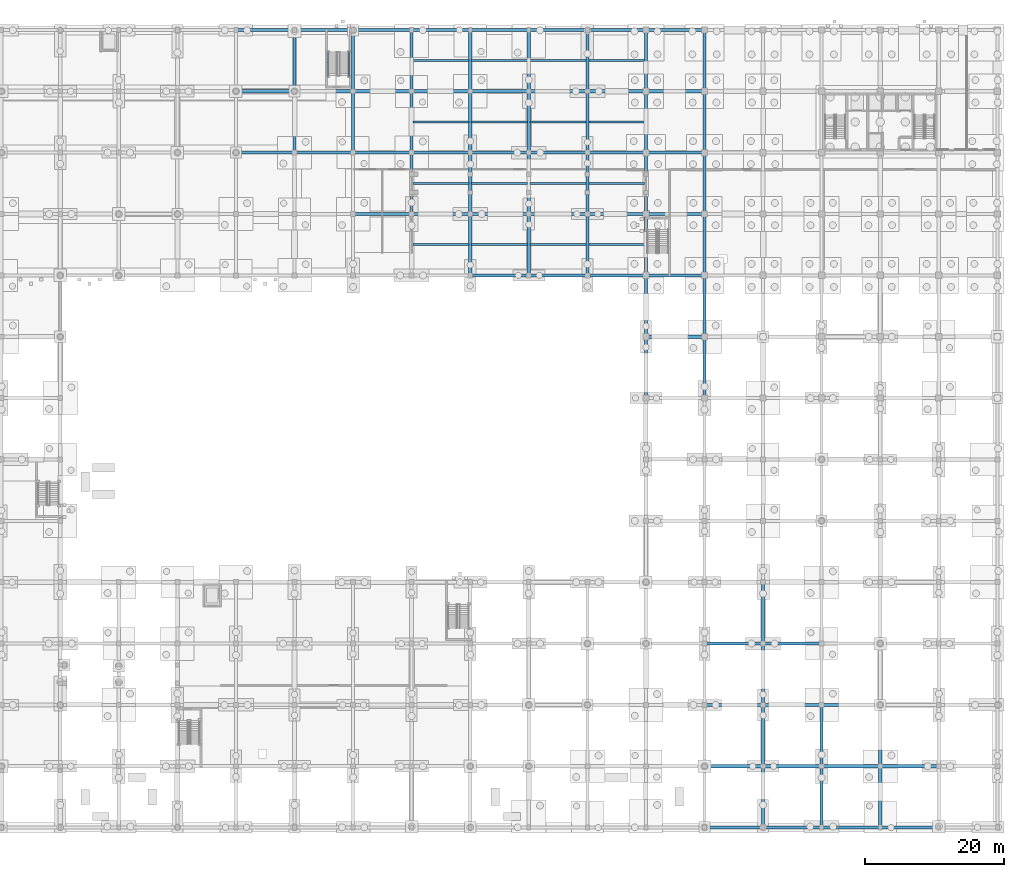
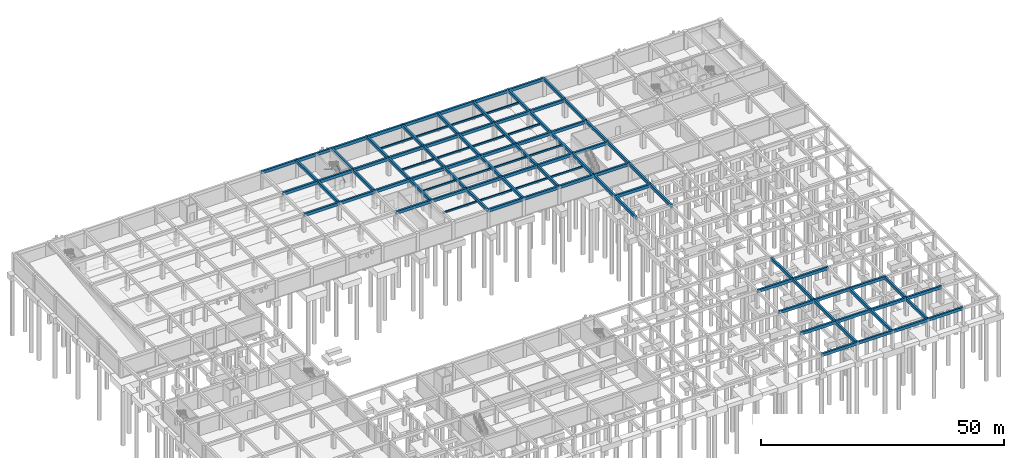
# One storey, part 17 of 41: 103 beams, 2 members.
"""IFC4 building model written with IfcOpenShell, lengths in metres."""

from ifc_helpers import new_model, si_unit, direction, frame, origin, origin_2d, place, context, subcontext, project, spatial, rectangle, hollow_rectangle, extrude, material, material_profile, profile_set, type_object, element, save


model = new_model("IFC4")

# Units and contexts
model_context = context("Model", 3, precision=1e-05, world=origin(), true_north=direction((0.0, 1.0)))
body_context = subcontext(model_context, "Body", "Model", "MODEL_VIEW")
ifc_project = project(units=[si_unit("LENGTHUNIT", "METRE"), si_unit("AREAUNIT", "SQUARE_METRE"), si_unit("VOLUMEUNIT", "CUBIC_METRE"), si_unit("PLANEANGLEUNIT", "RADIAN"), si_unit("MASSUNIT", "GRAM", prefix="KILO")], contexts=[model_context])

# Site, building, storey
site_placement = place(None, origin())
site = spatial("IfcSite", under=ifc_project, at=site_placement, CompositionType="ELEMENT")
building_placement = place(site_placement, origin())
building = spatial("IfcBuilding", under=site, at=building_placement, Name="Kemercrest Conservatory and Botanical Centre", CompositionType="ELEMENT")
storey_placement = place(building_placement, frame((0.0, 0.0, -4.5)))
storey = spatial("IfcBuildingStorey", under=building, at=storey_placement, Name="B1", CompositionType="ELEMENT", Elevation=-4.5)

# Beams
ifc_material_1 = material(Name="Concrete C40/50", Category="concrete")
ifc_material_profile_1 = material_profile(ifc_material_1, rectangle(XDim=0.449951171875, YDim=0.75, at=origin_2d()), Name="RC 450x750")
ifc_profile_set_1 = profile_set([ifc_material_profile_1], Name="Concrete C40/50")
beam_type_1 = type_object("IfcBeamType", Name="BM-RC75", PredefinedType="BEAM", material=ifc_profile_set_1)
beam_1_placement = place(storey_placement, frame((134.0, 8.0, 4.125), z_axis=(1.0, 0.0, 0.0), x_axis=(0.0, 1.0, 0.0)))
element("IfcBeam", 1, at=beam_1_placement, inside=storey, type_object=beam_type_1, Name="B1 girder 16-17 on A", PredefinedType="BEAM", context=body_context, shape_type="SweptSolid", body=[
    extrude(rectangle(XDim=0.449951171875, YDim=0.75, at=origin_2d()), origin(), (0.0, 0.0, 1.0), 8.39990234375),
])
beam_2_placement = place(storey_placement, frame((142.39990234375, 8.0, 4.125), z_axis=(1.0, 0.0, 0.0), x_axis=(0.0, 1.0, 0.0)))
element("IfcBeam", 2, at=beam_2_placement, inside=storey, type_object=beam_type_1, Name="B1 girder 17-18 on A", PredefinedType="BEAM", context=body_context, shape_type="SweptSolid", body=[
    extrude(rectangle(XDim=0.449951171875, YDim=0.75, at=origin_2d()), origin(), (0.0, 0.0, 1.0), 8.400146484375),
])
beam_3_placement = place(storey_placement, frame((150.800048828125, 8.0, 4.125), z_axis=(1.0, 0.0, 0.0), x_axis=(0.0, 1.0, 0.0)))
element("IfcBeam", 3, at=beam_3_placement, inside=storey, type_object=beam_type_1, Name="B1 girder 18-19 on A", PredefinedType="BEAM", context=body_context, shape_type="SweptSolid", body=[
    extrude(rectangle(XDim=0.449951171875, YDim=0.75, at=origin_2d()), origin(), (0.0, 0.0, 1.0), 8.39990234375),
])
beam_4_placement = place(storey_placement, frame((159.199951171875, 8.0, 4.125), z_axis=(1.0, 0.0, 0.0), x_axis=(0.0, 1.0, 0.0)))
element("IfcBeam", 4, at=beam_4_placement, inside=storey, type_object=beam_type_1, Name="B1 girder 19-20 on A", PredefinedType="BEAM", context=body_context, shape_type="SweptSolid", body=[
    extrude(rectangle(XDim=0.449951171875, YDim=0.75, at=origin_2d()), origin(), (0.0, 0.0, 1.0), 8.400146484375),
])
beam_5_placement = place(storey_placement, frame((134.0, 16.800048828125, 4.125), z_axis=(1.0, 0.0, 0.0), x_axis=(0.0, 1.0, 0.0)))
element("IfcBeam", 5, at=beam_5_placement, inside=storey, type_object=beam_type_1, Name="B1 girder 16-17 on B", PredefinedType="BEAM", context=body_context, shape_type="SweptSolid", body=[
    extrude(rectangle(XDim=0.449951171875, YDim=0.75, at=origin_2d()), origin(), (0.0, 0.0, 1.0), 8.39990234375),
])
beam_6_placement = place(storey_placement, frame((142.39990234375, 16.800048828125, 4.125), z_axis=(1.0, 0.0, 0.0), x_axis=(0.0, 1.0, 0.0)))
element("IfcBeam", 6, at=beam_6_placement, inside=storey, type_object=beam_type_1, Name="B1 girder 17-18 on B", PredefinedType="BEAM", context=body_context, shape_type="SweptSolid", body=[
    extrude(rectangle(XDim=0.449951171875, YDim=0.75, at=origin_2d()), origin(), (0.0, 0.0, 1.0), 8.400146484375),
])
beam_7_placement = place(storey_placement, frame((150.800048828125, 16.800048828125, 4.125), z_axis=(1.0, 0.0, 0.0), x_axis=(0.0, 1.0, 0.0)))
element("IfcBeam", 7, at=beam_7_placement, inside=storey, type_object=beam_type_1, Name="B1 girder 18-19 on B", PredefinedType="BEAM", context=body_context, shape_type="SweptSolid", body=[
    extrude(rectangle(XDim=0.449951171875, YDim=0.75, at=origin_2d()), origin(), (0.0, 0.0, 1.0), 8.39990234375),
])
beam_8_placement = place(storey_placement, frame((159.199951171875, 16.800048828125, 4.125), z_axis=(1.0, 0.0, 0.0), x_axis=(0.0, 1.0, 0.0)))
element("IfcBeam", 8, at=beam_8_placement, inside=storey, type_object=beam_type_1, Name="B1 girder 19-20 on B", PredefinedType="BEAM", context=body_context, shape_type="SweptSolid", body=[
    extrude(rectangle(XDim=0.449951171875, YDim=0.75, at=origin_2d()), origin(), (0.0, 0.0, 1.0), 8.400146484375),
])
beam_9_placement = place(storey_placement, frame((134.0, 25.60009765625, 4.125), z_axis=(1.0, 0.0, 0.0), x_axis=(0.0, 1.0, 0.0)))
element("IfcBeam", 9, at=beam_9_placement, inside=storey, type_object=beam_type_1, Name="B1 girder 16-17 on C", PredefinedType="BEAM", context=body_context, shape_type="SweptSolid", body=[
    extrude(rectangle(XDim=0.449951171875, YDim=0.75, at=origin_2d()), origin(), (0.0, 0.0, 1.0), 8.39990234375),
])
beam_10_placement = place(storey_placement, frame((142.39990234375, 25.60009765625, 4.125), z_axis=(1.0, 0.0, 0.0), x_axis=(0.0, 1.0, 0.0)))
element("IfcBeam", 10, at=beam_10_placement, inside=storey, type_object=beam_type_1, Name="B1 girder 17-18 on C", PredefinedType="BEAM", context=body_context, shape_type="SweptSolid", body=[
    extrude(rectangle(XDim=0.449951171875, YDim=0.75, at=origin_2d()), origin(), (0.0, 0.0, 1.0), 8.400146484375),
])
for number, where, z_axis, x_axis, name in (
    (11, (150.800048828125, 25.60009765625, 4.125), (1.0, 0.0, 0.0), (0.0, 1.0, 0.0), "B1 girder 18-19 on C"),
    (12, (134.0, 34.39990234375, 4.125), (1.0, 0.0, 0.0), (0.0, 1.0, 0.0), "B1 girder 16-17 on D"),
):
    element("IfcBeam", number, at=place(storey_placement, frame(where, z_axis=z_axis, x_axis=x_axis)), inside=storey, type_object=beam_type_1, Name=name, PredefinedType="BEAM", context=body_context, shape_type="SweptSolid", body=[
        extrude(rectangle(XDim=0.449951171875, YDim=0.75, at=origin_2d()), origin(), (0.0, 0.0, 1.0), 8.39990234375),
    ])
beam_11_placement = place(storey_placement, frame((142.39990234375, 34.39990234375, 4.125), z_axis=(1.0, 0.0, 0.0), x_axis=(0.0, 1.0, 0.0)))
element("IfcBeam", 13, at=beam_11_placement, inside=storey, type_object=beam_type_1, Name="B1 girder 17-18 on D", PredefinedType="BEAM", context=body_context, shape_type="SweptSolid", body=[
    extrude(rectangle(XDim=0.449951171875, YDim=0.75, at=origin_2d()), origin(), (0.0, 0.0, 1.0), 8.400146484375),
])
beam_12_placement = place(storey_placement, frame((125.60009765625, 78.39990234375, 4.125), z_axis=(1.0, 0.0, 0.0), x_axis=(0.0, 1.0, 0.0)))
element("IfcBeam", 14, at=beam_12_placement, inside=storey, type_object=beam_type_1, Name="B1 girder 15-16 on J", PredefinedType="BEAM", context=body_context, shape_type="SweptSolid", body=[
    extrude(rectangle(XDim=0.449951171875, YDim=0.75, at=origin_2d()), origin(), (0.0, 0.0, 1.0), 8.39990234375),
])
beam_13_placement = place(storey_placement, frame((100.39990234375, 87.199951171875, 4.125), z_axis=(1.0, 0.0, 0.0), x_axis=(0.0, 1.0, 0.0)))
element("IfcBeam", 15, at=beam_13_placement, inside=storey, type_object=beam_type_1, Name="B1 girder 12-13 on K", PredefinedType="BEAM", context=body_context, shape_type="SweptSolid", body=[
    extrude(rectangle(XDim=0.449951171875, YDim=0.75, at=origin_2d()), origin(), (0.0, 0.0, 1.0), 8.400146484375),
])
beam_14_placement = place(storey_placement, frame((108.800048828125, 87.199951171875, 4.125), z_axis=(1.0, 0.0, 0.0), x_axis=(0.0, 1.0, 0.0)))
element("IfcBeam", 16, at=beam_14_placement, inside=storey, type_object=beam_type_1, Name="B1 girder 13-14 on K", PredefinedType="BEAM", context=body_context, shape_type="SweptSolid", body=[
    extrude(rectangle(XDim=0.449951171875, YDim=0.75, at=origin_2d()), origin(), (0.0, 0.0, 1.0), 8.39990234375),
])
beam_15_placement = place(storey_placement, frame((117.199951171875, 87.199951171875, 4.125), z_axis=(1.0, 0.0, 0.0), x_axis=(0.0, 1.0, 0.0)))
element("IfcBeam", 17, at=beam_15_placement, inside=storey, type_object=beam_type_1, Name="B1 girder 14-15 on K", PredefinedType="BEAM", context=body_context, shape_type="SweptSolid", body=[
    extrude(rectangle(XDim=0.449951171875, YDim=0.75, at=origin_2d()), origin(), (0.0, 0.0, 1.0), 8.400146484375),
])
for number, where, z_axis, x_axis, name in (
    (18, (125.60009765625, 87.199951171875, 4.125), (1.0, 0.0, 0.0), (0.0, 1.0, 0.0), "B1 girder 15-16 on K"),
    (19, (83.60009765625, 96.0, 4.125), (1.0, 0.0, 0.0), (0.0, 1.0, 0.0), "B1 girder 10-11 on L"),
    (20, (92.0, 96.0, 4.125), (1.0, 0.0, 0.0), (0.0, 1.0, 0.0), "B1 girder 11-12 on L"),
):
    element("IfcBeam", number, at=place(storey_placement, frame(where, z_axis=z_axis, x_axis=x_axis)), inside=storey, type_object=beam_type_1, Name=name, PredefinedType="BEAM", context=body_context, shape_type="SweptSolid", body=[
        extrude(rectangle(XDim=0.449951171875, YDim=0.75, at=origin_2d()), origin(), (0.0, 0.0, 1.0), 8.39990234375),
    ])
beam_16_placement = place(storey_placement, frame((100.39990234375, 96.0, 4.125), z_axis=(1.0, 0.0, 0.0), x_axis=(0.0, 1.0, 0.0)))
element("IfcBeam", 21, at=beam_16_placement, inside=storey, type_object=beam_type_1, Name="B1 girder 12-13 on L", PredefinedType="BEAM", context=body_context, shape_type="SweptSolid", body=[
    extrude(rectangle(XDim=0.449951171875, YDim=0.75, at=origin_2d()), origin(), (0.0, 0.0, 1.0), 8.400146484375),
])
beam_17_placement = place(storey_placement, frame((108.800048828125, 96.0, 4.125), z_axis=(1.0, 0.0, 0.0), x_axis=(0.0, 1.0, 0.0)))
element("IfcBeam", 22, at=beam_17_placement, inside=storey, type_object=beam_type_1, Name="B1 girder 13-14 on L", PredefinedType="BEAM", context=body_context, shape_type="SweptSolid", body=[
    extrude(rectangle(XDim=0.449951171875, YDim=0.75, at=origin_2d()), origin(), (0.0, 0.0, 1.0), 8.39990234375),
])
beam_18_placement = place(storey_placement, frame((117.199951171875, 96.0, 4.125), z_axis=(1.0, 0.0, 0.0), x_axis=(0.0, 1.0, 0.0)))
element("IfcBeam", 23, at=beam_18_placement, inside=storey, type_object=beam_type_1, Name="B1 girder 14-15 on L", PredefinedType="BEAM", context=body_context, shape_type="SweptSolid", body=[
    extrude(rectangle(XDim=0.449951171875, YDim=0.75, at=origin_2d()), origin(), (0.0, 0.0, 1.0), 8.400146484375),
])
for number, where, z_axis, x_axis, name in (
    (24, (125.60009765625, 96.0, 4.125), (1.0, 0.0, 0.0), (0.0, 1.0, 0.0), "B1 girder 15-16 on L"),
    (25, (66.800048828125, 104.800048828125, 4.125), (1.0, 0.0, 0.0), (0.0, 1.0, 0.0), "B1 girder 08-09 on M"),
):
    element("IfcBeam", number, at=place(storey_placement, frame(where, z_axis=z_axis, x_axis=x_axis)), inside=storey, type_object=beam_type_1, Name=name, PredefinedType="BEAM", context=body_context, shape_type="SweptSolid", body=[
        extrude(rectangle(XDim=0.449951171875, YDim=0.75, at=origin_2d()), origin(), (0.0, 0.0, 1.0), 8.39990234375),
    ])
beam_19_placement = place(storey_placement, frame((75.199951171875, 104.800048828125, 4.125), z_axis=(1.0, 0.0, 0.0), x_axis=(0.0, 1.0, 0.0)))
element("IfcBeam", 26, at=beam_19_placement, inside=storey, type_object=beam_type_1, Name="B1 girder 09-10 on M", PredefinedType="BEAM", context=body_context, shape_type="SweptSolid", body=[
    extrude(rectangle(XDim=0.449951171875, YDim=0.75, at=origin_2d()), origin(), (0.0, 0.0, 1.0), 8.400146484375),
])
for number, where, z_axis, x_axis, name in (
    (27, (83.60009765625, 104.800048828125, 4.125), (1.0, 0.0, 0.0), (0.0, 1.0, 0.0), "B1 girder 10-11 on M"),
    (28, (92.0, 104.800048828125, 4.125), (1.0, 0.0, 0.0), (0.0, 1.0, 0.0), "B1 girder 11-12 on M"),
):
    element("IfcBeam", number, at=place(storey_placement, frame(where, z_axis=z_axis, x_axis=x_axis)), inside=storey, type_object=beam_type_1, Name=name, PredefinedType="BEAM", context=body_context, shape_type="SweptSolid", body=[
        extrude(rectangle(XDim=0.449951171875, YDim=0.75, at=origin_2d()), origin(), (0.0, 0.0, 1.0), 8.39990234375),
    ])
beam_20_placement = place(storey_placement, frame((100.39990234375, 104.800048828125, 4.125), z_axis=(1.0, 0.0, 0.0), x_axis=(0.0, 1.0, 0.0)))
element("IfcBeam", 29, at=beam_20_placement, inside=storey, type_object=beam_type_1, Name="B1 girder 12-13 on M", PredefinedType="BEAM", context=body_context, shape_type="SweptSolid", body=[
    extrude(rectangle(XDim=0.449951171875, YDim=0.75, at=origin_2d()), origin(), (0.0, 0.0, 1.0), 8.400146484375),
])
beam_21_placement = place(storey_placement, frame((108.800048828125, 104.800048828125, 4.125), z_axis=(1.0, 0.0, 0.0), x_axis=(0.0, 1.0, 0.0)))
element("IfcBeam", 30, at=beam_21_placement, inside=storey, type_object=beam_type_1, Name="B1 girder 13-14 on M", PredefinedType="BEAM", context=body_context, shape_type="SweptSolid", body=[
    extrude(rectangle(XDim=0.449951171875, YDim=0.75, at=origin_2d()), origin(), (0.0, 0.0, 1.0), 8.39990234375),
])
beam_22_placement = place(storey_placement, frame((117.199951171875, 104.800048828125, 4.125), z_axis=(1.0, 0.0, 0.0), x_axis=(0.0, 1.0, 0.0)))
element("IfcBeam", 31, at=beam_22_placement, inside=storey, type_object=beam_type_1, Name="B1 girder 14-15 on M", PredefinedType="BEAM", context=body_context, shape_type="SweptSolid", body=[
    extrude(rectangle(XDim=0.449951171875, YDim=0.75, at=origin_2d()), origin(), (0.0, 0.0, 1.0), 8.400146484375),
])
for number, where, z_axis, x_axis, name in (
    (32, (125.60009765625, 104.800048828125, 4.125), (1.0, 0.0, 0.0), (0.0, 1.0, 0.0), "B1 girder 15-16 on M"),
    (33, (66.800048828125, 113.60009765625, 4.125), (1.0, 0.0, 0.0), (0.0, 1.0, 0.0), "B1 girder 08-09 on N"),
):
    element("IfcBeam", number, at=place(storey_placement, frame(where, z_axis=z_axis, x_axis=x_axis)), inside=storey, type_object=beam_type_1, Name=name, PredefinedType="BEAM", context=body_context, shape_type="SweptSolid", body=[
        extrude(rectangle(XDim=0.449951171875, YDim=0.75, at=origin_2d()), origin(), (0.0, 0.0, 1.0), 8.39990234375),
    ])
beam_23_placement = place(storey_placement, frame((75.199951171875, 113.60009765625, 4.125), z_axis=(1.0, 0.0, 0.0), x_axis=(0.0, 1.0, 0.0)))
element("IfcBeam", 34, at=beam_23_placement, inside=storey, type_object=beam_type_1, Name="B1 girder 09-10 on N", PredefinedType="BEAM", context=body_context, shape_type="SweptSolid", body=[
    extrude(rectangle(XDim=0.449951171875, YDim=0.75, at=origin_2d()), origin(), (0.0, 0.0, 1.0), 8.400146484375),
])
for number, where, z_axis, x_axis, name in (
    (35, (83.60009765625, 113.60009765625, 4.125), (1.0, 0.0, 0.0), (0.0, 1.0, 0.0), "B1 girder 10-11 on N"),
    (36, (92.0, 113.60009765625, 4.125), (1.0, 0.0, 0.0), (0.0, 1.0, 0.0), "B1 girder 11-12 on N"),
):
    element("IfcBeam", number, at=place(storey_placement, frame(where, z_axis=z_axis, x_axis=x_axis)), inside=storey, type_object=beam_type_1, Name=name, PredefinedType="BEAM", context=body_context, shape_type="SweptSolid", body=[
        extrude(rectangle(XDim=0.449951171875, YDim=0.75, at=origin_2d()), origin(), (0.0, 0.0, 1.0), 8.39990234375),
    ])
beam_24_placement = place(storey_placement, frame((100.39990234375, 113.60009765625, 4.125), z_axis=(1.0, 0.0, 0.0), x_axis=(0.0, 1.0, 0.0)))
element("IfcBeam", 37, at=beam_24_placement, inside=storey, type_object=beam_type_1, Name="B1 girder 12-13 on N", PredefinedType="BEAM", context=body_context, shape_type="SweptSolid", body=[
    extrude(rectangle(XDim=0.449951171875, YDim=0.75, at=origin_2d()), origin(), (0.0, 0.0, 1.0), 8.400146484375),
])
beam_25_placement = place(storey_placement, frame((108.800048828125, 113.60009765625, 4.125), z_axis=(1.0, 0.0, 0.0), x_axis=(0.0, 1.0, 0.0)))
element("IfcBeam", 38, at=beam_25_placement, inside=storey, type_object=beam_type_1, Name="B1 girder 13-14 on N", PredefinedType="BEAM", context=body_context, shape_type="SweptSolid", body=[
    extrude(rectangle(XDim=0.449951171875, YDim=0.75, at=origin_2d()), origin(), (0.0, 0.0, 1.0), 8.39990234375),
])
beam_26_placement = place(storey_placement, frame((117.199951171875, 113.60009765625, 4.125), z_axis=(1.0, 0.0, 0.0), x_axis=(0.0, 1.0, 0.0)))
element("IfcBeam", 39, at=beam_26_placement, inside=storey, type_object=beam_type_1, Name="B1 girder 14-15 on N", PredefinedType="BEAM", context=body_context, shape_type="SweptSolid", body=[
    extrude(rectangle(XDim=0.449951171875, YDim=0.75, at=origin_2d()), origin(), (0.0, 0.0, 1.0), 8.400146484375),
])
for number, where, z_axis, x_axis, name in (
    (40, (125.60009765625, 113.60009765625, 4.125), (1.0, 0.0, 0.0), (0.0, 1.0, 0.0), "B1 girder 15-16 on N"),
    (41, (66.800048828125, 122.39990234375, 4.125), (1.0, 0.0, 0.0), (0.0, 1.0, 0.0), "B1 girder 08-09 on P"),
):
    element("IfcBeam", number, at=place(storey_placement, frame(where, z_axis=z_axis, x_axis=x_axis)), inside=storey, type_object=beam_type_1, Name=name, PredefinedType="BEAM", context=body_context, shape_type="SweptSolid", body=[
        extrude(rectangle(XDim=0.449951171875, YDim=0.75, at=origin_2d()), origin(), (0.0, 0.0, 1.0), 8.39990234375),
    ])
beam_27_placement = place(storey_placement, frame((75.199951171875, 122.39990234375, 4.125), z_axis=(1.0, 0.0, 0.0), x_axis=(0.0, 1.0, 0.0)))
element("IfcBeam", 42, at=beam_27_placement, inside=storey, type_object=beam_type_1, Name="B1 girder 09-10 on P", PredefinedType="BEAM", context=body_context, shape_type="SweptSolid", body=[
    extrude(rectangle(XDim=0.449951171875, YDim=0.75, at=origin_2d()), origin(), (0.0, 0.0, 1.0), 8.400146484375),
])
for number, where, z_axis, x_axis, name in (
    (43, (83.60009765625, 122.39990234375, 4.125), (1.0, 0.0, 0.0), (0.0, 1.0, 0.0), "B1 girder 10-11 on P"),
    (44, (92.0, 122.39990234375, 4.125), (1.0, 0.0, 0.0), (0.0, 1.0, 0.0), "B1 girder 11-12 on P"),
):
    element("IfcBeam", number, at=place(storey_placement, frame(where, z_axis=z_axis, x_axis=x_axis)), inside=storey, type_object=beam_type_1, Name=name, PredefinedType="BEAM", context=body_context, shape_type="SweptSolid", body=[
        extrude(rectangle(XDim=0.449951171875, YDim=0.75, at=origin_2d()), origin(), (0.0, 0.0, 1.0), 8.39990234375),
    ])
beam_28_placement = place(storey_placement, frame((100.39990234375, 122.39990234375, 4.125), z_axis=(1.0, 0.0, 0.0), x_axis=(0.0, 1.0, 0.0)))
element("IfcBeam", 45, at=beam_28_placement, inside=storey, type_object=beam_type_1, Name="B1 girder 12-13 on P", PredefinedType="BEAM", context=body_context, shape_type="SweptSolid", body=[
    extrude(rectangle(XDim=0.449951171875, YDim=0.75, at=origin_2d()), origin(), (0.0, 0.0, 1.0), 8.400146484375),
])
beam_29_placement = place(storey_placement, frame((108.800048828125, 122.39990234375, 4.125), z_axis=(1.0, 0.0, 0.0), x_axis=(0.0, 1.0, 0.0)))
element("IfcBeam", 46, at=beam_29_placement, inside=storey, type_object=beam_type_1, Name="B1 girder 13-14 on P", PredefinedType="BEAM", context=body_context, shape_type="SweptSolid", body=[
    extrude(rectangle(XDim=0.449951171875, YDim=0.75, at=origin_2d()), origin(), (0.0, 0.0, 1.0), 8.39990234375),
])
beam_30_placement = place(storey_placement, frame((117.199951171875, 122.39990234375, 4.125), z_axis=(1.0, 0.0, 0.0), x_axis=(0.0, 1.0, 0.0)))
element("IfcBeam", 47, at=beam_30_placement, inside=storey, type_object=beam_type_1, Name="B1 girder 14-15 on P", PredefinedType="BEAM", context=body_context, shape_type="SweptSolid", body=[
    extrude(rectangle(XDim=0.449951171875, YDim=0.75, at=origin_2d()), origin(), (0.0, 0.0, 1.0), 8.400146484375),
])
beam_31_placement = place(storey_placement, frame((125.60009765625, 122.39990234375, 4.125), z_axis=(1.0, 0.0, 0.0), x_axis=(0.0, 1.0, 0.0)))
element("IfcBeam", 48, at=beam_31_placement, inside=storey, type_object=beam_type_1, Name="B1 girder 15-16 on P", PredefinedType="BEAM", context=body_context, shape_type="SweptSolid", body=[
    extrude(rectangle(XDim=0.449951171875, YDim=0.75, at=origin_2d()), origin(), (0.0, 0.0, 1.0), 8.39990234375),
])
beam_32_placement = place(storey_placement, frame((75.199951171875, 104.800048828125, 4.125), z_axis=(0.0, 1.0, 0.0), x_axis=(-1.0, 0.0, 0.0)))
element("IfcBeam", 49, at=beam_32_placement, inside=storey, type_object=beam_type_1, Name="B1 girder M-N on 09", PredefinedType="BEAM", context=body_context, shape_type="SweptSolid", body=[
    extrude(rectangle(XDim=0.449951171875, YDim=0.75, at=origin_2d()), origin(), (0.0, 0.0, 1.0), 8.800048828125),
])
beam_33_placement = place(storey_placement, frame((75.199951171875, 113.60009765625, 4.125), z_axis=(0.0, 1.0, 0.0), x_axis=(-1.0, 0.0, 0.0)))
element("IfcBeam", 50, at=beam_33_placement, inside=storey, type_object=beam_type_1, Name="B1 girder N-P on 09", PredefinedType="BEAM", context=body_context, shape_type="SweptSolid", body=[
    extrude(rectangle(XDim=0.449951171875, YDim=0.75, at=origin_2d()), origin(), (0.0, 0.0, 1.0), 8.7998046875),
])
beam_34_placement = place(storey_placement, frame((83.60009765625, 104.800048828125, 4.125), z_axis=(0.0, 1.0, 0.0), x_axis=(-1.0, 0.0, 0.0)))
element("IfcBeam", 51, at=beam_34_placement, inside=storey, type_object=beam_type_1, Name="B1 girder M-N on 10", PredefinedType="BEAM", context=body_context, shape_type="SweptSolid", body=[
    extrude(rectangle(XDim=0.449951171875, YDim=0.75, at=origin_2d()), origin(), (0.0, 0.0, 1.0), 8.800048828125),
])
beam_35_placement = place(storey_placement, frame((83.60009765625, 113.60009765625, 4.125), z_axis=(0.0, 1.0, 0.0), x_axis=(-1.0, 0.0, 0.0)))
element("IfcBeam", 52, at=beam_35_placement, inside=storey, type_object=beam_type_1, Name="B1 girder N-P on 10", PredefinedType="BEAM", context=body_context, shape_type="SweptSolid", body=[
    extrude(rectangle(XDim=0.449951171875, YDim=0.75, at=origin_2d()), origin(), (0.0, 0.0, 1.0), 8.7998046875),
])
for number, where, z_axis, x_axis, name in (
    (53, (92.0, 96.0, 4.125), (0.0, 1.0, 0.0), (-1.0, 0.0, 0.0), "B1 girder L-M on 11"),
    (54, (92.0, 104.800048828125, 4.125), (0.0, 1.0, 0.0), (-1.0, 0.0, 0.0), "B1 girder M-N on 11"),
):
    element("IfcBeam", number, at=place(storey_placement, frame(where, z_axis=z_axis, x_axis=x_axis)), inside=storey, type_object=beam_type_1, Name=name, PredefinedType="BEAM", context=body_context, shape_type="SweptSolid", body=[
        extrude(rectangle(XDim=0.449951171875, YDim=0.75, at=origin_2d()), origin(), (0.0, 0.0, 1.0), 8.800048828125),
    ])
beam_36_placement = place(storey_placement, frame((92.0, 113.60009765625, 4.125), z_axis=(0.0, 1.0, 0.0), x_axis=(-1.0, 0.0, 0.0)))
element("IfcBeam", 55, at=beam_36_placement, inside=storey, type_object=beam_type_1, Name="B1 girder N-P on 11", PredefinedType="BEAM", context=body_context, shape_type="SweptSolid", body=[
    extrude(rectangle(XDim=0.449951171875, YDim=0.75, at=origin_2d()), origin(), (0.0, 0.0, 1.0), 8.7998046875),
])
for number, where, z_axis, x_axis, name in (
    (56, (100.39990234375, 87.199951171875, 4.125), (0.0, 1.0, 0.0), (-1.0, 0.0, 0.0), "B1 girder K-L on 12"),
    (57, (100.39990234375, 96.0, 4.125), (0.0, 1.0, 0.0), (-1.0, 0.0, 0.0), "B1 girder L-M on 12"),
    (58, (100.39990234375, 104.800048828125, 4.125), (0.0, 1.0, 0.0), (-1.0, 0.0, 0.0), "B1 girder M-N on 12"),
):
    element("IfcBeam", number, at=place(storey_placement, frame(where, z_axis=z_axis, x_axis=x_axis)), inside=storey, type_object=beam_type_1, Name=name, PredefinedType="BEAM", context=body_context, shape_type="SweptSolid", body=[
        extrude(rectangle(XDim=0.449951171875, YDim=0.75, at=origin_2d()), origin(), (0.0, 0.0, 1.0), 8.800048828125),
    ])
beam_37_placement = place(storey_placement, frame((100.39990234375, 113.60009765625, 4.125), z_axis=(0.0, 1.0, 0.0), x_axis=(-1.0, 0.0, 0.0)))
element("IfcBeam", 59, at=beam_37_placement, inside=storey, type_object=beam_type_1, Name="B1 girder N-P on 12", PredefinedType="BEAM", context=body_context, shape_type="SweptSolid", body=[
    extrude(rectangle(XDim=0.449951171875, YDim=0.75, at=origin_2d()), origin(), (0.0, 0.0, 1.0), 8.7998046875),
])
for number, where, z_axis, x_axis, name in (
    (60, (108.800048828125, 87.199951171875, 4.125), (0.0, 1.0, 0.0), (-1.0, 0.0, 0.0), "B1 girder K-L on 13"),
    (61, (108.800048828125, 96.0, 4.125), (0.0, 1.0, 0.0), (-1.0, 0.0, 0.0), "B1 girder L-M on 13"),
    (62, (108.800048828125, 104.800048828125, 4.125), (0.0, 1.0, 0.0), (-1.0, 0.0, 0.0), "B1 girder M-N on 13"),
):
    element("IfcBeam", number, at=place(storey_placement, frame(where, z_axis=z_axis, x_axis=x_axis)), inside=storey, type_object=beam_type_1, Name=name, PredefinedType="BEAM", context=body_context, shape_type="SweptSolid", body=[
        extrude(rectangle(XDim=0.449951171875, YDim=0.75, at=origin_2d()), origin(), (0.0, 0.0, 1.0), 8.800048828125),
    ])
beam_38_placement = place(storey_placement, frame((108.800048828125, 113.60009765625, 4.125), z_axis=(0.0, 1.0, 0.0), x_axis=(-1.0, 0.0, 0.0)))
element("IfcBeam", 63, at=beam_38_placement, inside=storey, type_object=beam_type_1, Name="B1 girder N-P on 13", PredefinedType="BEAM", context=body_context, shape_type="SweptSolid", body=[
    extrude(rectangle(XDim=0.449951171875, YDim=0.75, at=origin_2d()), origin(), (0.0, 0.0, 1.0), 8.7998046875),
])
for number, where, z_axis, x_axis, name in (
    (64, (117.199951171875, 87.199951171875, 4.125), (0.0, 1.0, 0.0), (-1.0, 0.0, 0.0), "B1 girder K-L on 14"),
    (65, (117.199951171875, 96.0, 4.125), (0.0, 1.0, 0.0), (-1.0, 0.0, 0.0), "B1 girder L-M on 14"),
    (66, (117.199951171875, 104.800048828125, 4.125), (0.0, 1.0, 0.0), (-1.0, 0.0, 0.0), "B1 girder M-N on 14"),
):
    element("IfcBeam", number, at=place(storey_placement, frame(where, z_axis=z_axis, x_axis=x_axis)), inside=storey, type_object=beam_type_1, Name=name, PredefinedType="BEAM", context=body_context, shape_type="SweptSolid", body=[
        extrude(rectangle(XDim=0.449951171875, YDim=0.75, at=origin_2d()), origin(), (0.0, 0.0, 1.0), 8.800048828125),
    ])
for number, where, z_axis, x_axis, name in (
    (67, (117.199951171875, 113.60009765625, 4.125), (0.0, 1.0, 0.0), (-1.0, 0.0, 0.0), "B1 girder N-P on 14"),
    (68, (125.60009765625, 69.60009765625, 4.125), (0.0, 1.0, 0.0), (-1.0, 0.0, 0.0), "B1 girder H-J on 15"),
):
    element("IfcBeam", number, at=place(storey_placement, frame(where, z_axis=z_axis, x_axis=x_axis)), inside=storey, type_object=beam_type_1, Name=name, PredefinedType="BEAM", context=body_context, shape_type="SweptSolid", body=[
        extrude(rectangle(XDim=0.449951171875, YDim=0.75, at=origin_2d()), origin(), (0.0, 0.0, 1.0), 8.7998046875),
    ])
for number, where, z_axis, x_axis, name in (
    (69, (125.60009765625, 78.39990234375, 4.125), (0.0, 1.0, 0.0), (-1.0, 0.0, 0.0), "B1 girder J-K on 15"),
    (70, (125.60009765625, 87.199951171875, 4.125), (0.0, 1.0, 0.0), (-1.0, 0.0, 0.0), "B1 girder K-L on 15"),
    (71, (125.60009765625, 96.0, 4.125), (0.0, 1.0, 0.0), (-1.0, 0.0, 0.0), "B1 girder L-M on 15"),
    (72, (125.60009765625, 104.800048828125, 4.125), (0.0, 1.0, 0.0), (-1.0, 0.0, 0.0), "B1 girder M-N on 15"),
):
    element("IfcBeam", number, at=place(storey_placement, frame(where, z_axis=z_axis, x_axis=x_axis)), inside=storey, type_object=beam_type_1, Name=name, PredefinedType="BEAM", context=body_context, shape_type="SweptSolid", body=[
        extrude(rectangle(XDim=0.449951171875, YDim=0.75, at=origin_2d()), origin(), (0.0, 0.0, 1.0), 8.800048828125),
    ])
for number, where, z_axis, x_axis, name in (
    (73, (125.60009765625, 113.60009765625, 4.125), (0.0, 1.0, 0.0), (-1.0, 0.0, 0.0), "B1 girder N-P on 15"),
    (74, (134.0, 69.60009765625, 4.125), (0.0, 1.0, 0.0), (-1.0, 0.0, 0.0), "B1 girder H-J on 16"),
):
    element("IfcBeam", number, at=place(storey_placement, frame(where, z_axis=z_axis, x_axis=x_axis)), inside=storey, type_object=beam_type_1, Name=name, PredefinedType="BEAM", context=body_context, shape_type="SweptSolid", body=[
        extrude(rectangle(XDim=0.449951171875, YDim=0.75, at=origin_2d()), origin(), (0.0, 0.0, 1.0), 8.7998046875),
    ])
for number, where, z_axis, x_axis, name in (
    (75, (134.0, 78.39990234375, 4.125), (0.0, 1.0, 0.0), (-1.0, 0.0, 0.0), "B1 girder J-K on 16"),
    (76, (134.0, 87.199951171875, 4.125), (0.0, 1.0, 0.0), (-1.0, 0.0, 0.0), "B1 girder K-L on 16"),
    (77, (134.0, 96.0, 4.125), (0.0, 1.0, 0.0), (-1.0, 0.0, 0.0), "B1 girder L-M on 16"),
    (78, (134.0, 104.800048828125, 4.125), (0.0, 1.0, 0.0), (-1.0, 0.0, 0.0), "B1 girder M-N on 16"),
):
    element("IfcBeam", number, at=place(storey_placement, frame(where, z_axis=z_axis, x_axis=x_axis)), inside=storey, type_object=beam_type_1, Name=name, PredefinedType="BEAM", context=body_context, shape_type="SweptSolid", body=[
        extrude(rectangle(XDim=0.449951171875, YDim=0.75, at=origin_2d()), origin(), (0.0, 0.0, 1.0), 8.800048828125),
    ])
beam_39_placement = place(storey_placement, frame((134.0, 113.60009765625, 4.125), z_axis=(0.0, 1.0, 0.0), x_axis=(-1.0, 0.0, 0.0)))
element("IfcBeam", 79, at=beam_39_placement, inside=storey, type_object=beam_type_1, Name="B1 girder N-P on 16", PredefinedType="BEAM", context=body_context, shape_type="SweptSolid", body=[
    extrude(rectangle(XDim=0.449951171875, YDim=0.75, at=origin_2d()), origin(), (0.0, 0.0, 1.0), 8.7998046875),
])
for number, where, z_axis, x_axis, name in (
    (80, (142.39990234375, 8.0, 4.125), (0.0, 1.0, 0.0), (-1.0, 0.0, 0.0), "B1 girder A-B on 17"),
    (81, (142.39990234375, 16.800048828125, 4.125), (0.0, 1.0, 0.0), (-1.0, 0.0, 0.0), "B1 girder B-C on 17"),
):
    element("IfcBeam", number, at=place(storey_placement, frame(where, z_axis=z_axis, x_axis=x_axis)), inside=storey, type_object=beam_type_1, Name=name, PredefinedType="BEAM", context=body_context, shape_type="SweptSolid", body=[
        extrude(rectangle(XDim=0.449951171875, YDim=0.75, at=origin_2d()), origin(), (0.0, 0.0, 1.0), 8.800048828125),
    ])
beam_40_placement = place(storey_placement, frame((142.39990234375, 25.60009765625, 4.125), z_axis=(0.0, 1.0, 0.0), x_axis=(-1.0, 0.0, 0.0)))
element("IfcBeam", 82, at=beam_40_placement, inside=storey, type_object=beam_type_1, Name="B1 girder C-D on 17", PredefinedType="BEAM", context=body_context, shape_type="SweptSolid", body=[
    extrude(rectangle(XDim=0.449951171875, YDim=0.75, at=origin_2d()), origin(), (0.0, 0.0, 1.0), 8.7998046875),
])
for number, where, z_axis, x_axis, name in (
    (83, (142.39990234375, 34.39990234375, 4.125), (0.0, 1.0, 0.0), (-1.0, 0.0, 0.0), "B1 girder D-E on 17"),
    (84, (150.800048828125, 8.0, 4.125), (0.0, 1.0, 0.0), (-1.0, 0.0, 0.0), "B1 girder A-B on 18"),
    (85, (150.800048828125, 16.800048828125, 4.125), (0.0, 1.0, 0.0), (-1.0, 0.0, 0.0), "B1 girder B-C on 18"),
    (86, (159.199951171875, 8.0, 4.125), (0.0, 1.0, 0.0), (-1.0, 0.0, 0.0), "B1 girder A-B on 19"),
    (87, (159.199951171875, 16.800048828125, 4.125), (0.0, 1.0, 0.0), (-1.0, 0.0, 0.0), "B1 girder B-C on 19"),
):
    element("IfcBeam", number, at=place(storey_placement, frame(where, z_axis=z_axis, x_axis=x_axis)), inside=storey, type_object=beam_type_1, Name=name, PredefinedType="BEAM", context=body_context, shape_type="SweptSolid", body=[
        extrude(rectangle(XDim=0.449951171875, YDim=0.75, at=origin_2d()), origin(), (0.0, 0.0, 1.0), 8.800048828125),
    ])
ifc_material_profile_2 = material_profile(ifc_material_1, rectangle(XDim=0.300048828125, YDim=0.419921875, at=origin_2d()), Name="RC 300x420")
ifc_profile_set_2 = profile_set([ifc_material_profile_2], Name="Concrete C40/50")
beam_type_2 = type_object("IfcBeamType", Name="JS-RC42", PredefinedType="JOIST", material=ifc_profile_set_2)
for number, where, z_axis, x_axis, name in (
    (88, (92.199951171875, 91.60009765625, 3.75), (1.0, 0.0, 0.0), (0.0, 1.0, 0.0), "COURT-LID secondary joist JS-RC42"),
    (89, (100.60009765625, 91.60009765625, 3.75), (1.0, 0.0, 0.0), (0.0, 1.0, 0.0), "COURT-LID secondary joist JS-RC42"),
    (90, (109.0, 91.60009765625, 3.75), (1.0, 0.0, 0.0), (0.0, 1.0, 0.0), "COURT-LID secondary joist JS-RC42"),
    (91, (117.39990234375, 91.60009765625, 3.75), (1.0, 0.0, 0.0), (0.0, 1.0, 0.0), "COURT-LID secondary joist JS-RC42"),
    (92, (92.199951171875, 100.39990234375, 3.75), (1.0, 0.0, 0.0), (0.0, 1.0, 0.0), "COURT-LID secondary joist JS-RC42"),
    (93, (100.60009765625, 100.39990234375, 3.75), (1.0, 0.0, 0.0), (0.0, 1.0, 0.0), "COURT-LID secondary joist JS-RC42"),
    (94, (109.0, 100.39990234375, 3.75), (1.0, 0.0, 0.0), (0.0, 1.0, 0.0), "COURT-LID secondary joist JS-RC42"),
    (95, (117.39990234375, 100.39990234375, 3.75), (1.0, 0.0, 0.0), (0.0, 1.0, 0.0), "COURT-LID secondary joist JS-RC42"),
    (96, (92.199951171875, 109.199951171875, 3.75), (1.0, 0.0, 0.0), (0.0, 1.0, 0.0), "COURT-LID secondary joist JS-RC42"),
    (97, (100.60009765625, 109.199951171875, 3.75), (1.0, 0.0, 0.0), (0.0, 1.0, 0.0), "COURT-LID secondary joist JS-RC42"),
    (98, (109.0, 109.199951171875, 3.75), (1.0, 0.0, 0.0), (0.0, 1.0, 0.0), "COURT-LID secondary joist JS-RC42"),
    (99, (117.39990234375, 109.199951171875, 3.75), (1.0, 0.0, 0.0), (0.0, 1.0, 0.0), "COURT-LID secondary joist JS-RC42"),
    (100, (92.199951171875, 118.0, 3.75), (1.0, 0.0, 0.0), (0.0, 1.0, 0.0), "COURT-LID secondary joist JS-RC42"),
    (101, (100.60009765625, 118.0, 3.75), (1.0, 0.0, 0.0), (0.0, 1.0, 0.0), "COURT-LID secondary joist JS-RC42"),
    (102, (109.0, 118.0, 3.75), (1.0, 0.0, 0.0), (0.0, 1.0, 0.0), "COURT-LID secondary joist JS-RC42"),
    (103, (117.39990234375, 118.0, 3.75), (1.0, 0.0, 0.0), (0.0, 1.0, 0.0), "COURT-LID secondary joist JS-RC42"),
):
    element("IfcBeam", number, at=place(storey_placement, frame(where, z_axis=z_axis, x_axis=x_axis)), inside=storey, type_object=beam_type_2, Name=name, PredefinedType="JOIST", context=body_context, shape_type="SweptSolid", body=[
        extrude(rectangle(XDim=0.300048828125, YDim=0.419921875, at=origin_2d()), origin(), (0.0, 0.0, 1.0), 8.0),
    ])

# Members
ifc_material_2 = material(Name="Steel CSA G40.21 350W", Category="steel")
ifc_material_profile_3 = material_profile(ifc_material_2, hollow_rectangle(XDim=0.15234375, YDim=0.25390625, WallThickness=0.009521484375, InnerFilletRadius=0.009521484375, OuterFilletRadius=0.01904296875, at=origin_2d()), Name="HSS 254x152x9.5")
ifc_profile_set_3 = profile_set([ifc_material_profile_3], Name="Steel CSA G40.21 350W")
member_type = type_object("IfcMemberType", Name="SR-STR254", PredefinedType="STRINGER", material=ifc_profile_set_3)
for number, where, z_axis, x_axis, name in (
    (104, (83.010009765625, 115.760009765625, -0.10009765625), (0.0, 0.844750210241, 0.535160800412), (-1.0, 0.0, 0.0), "Stair ST-V3B steel stringer #29"),
    (105, (79.989990234375, 115.760009765625, 4.3798828125), (0.0, 0.844750210241, -0.535160800412), (-1.0, 0.0, 0.0), "Stair ST-V3B steel stringer #30"),
):
    element("IfcMember", number, at=place(storey_placement, frame(where, z_axis=z_axis, x_axis=x_axis)), inside=storey, type_object=member_type, Name=name, PredefinedType="STRINGER", context=body_context, shape_type="SweptSolid", body=[
        extrude(hollow_rectangle(XDim=0.15234375, YDim=0.25390625, WallThickness=0.009521484375, InnerFilletRadius=0.009521484375, OuterFilletRadius=0.01904296875, at=origin_2d()), origin(), (0.0, 0.0, 1.0), 4.1669921875),
    ])

save(model, "model.ifc")
